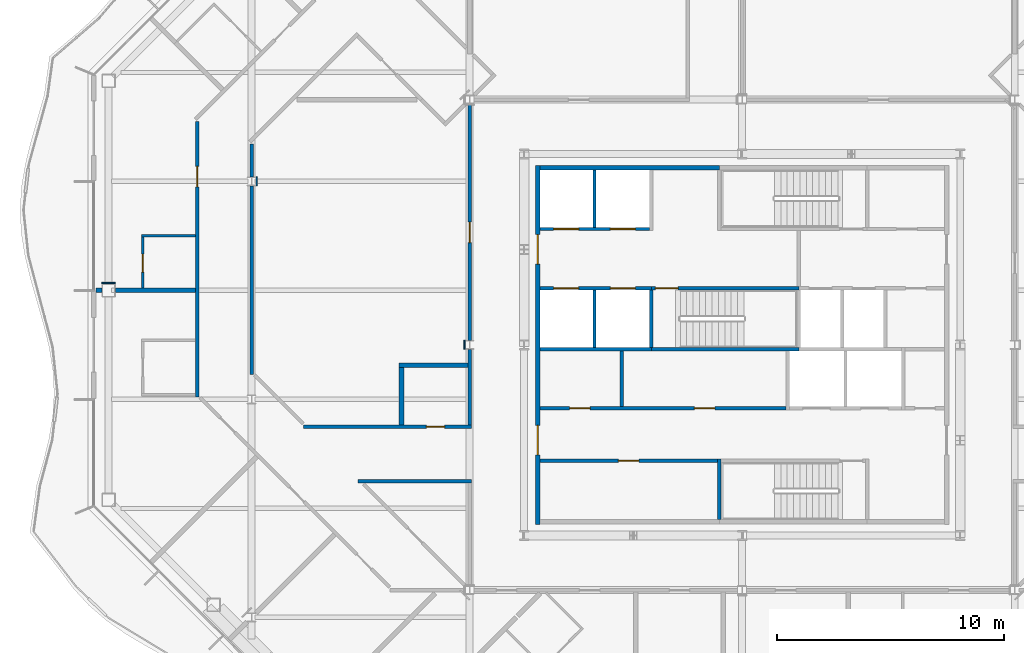
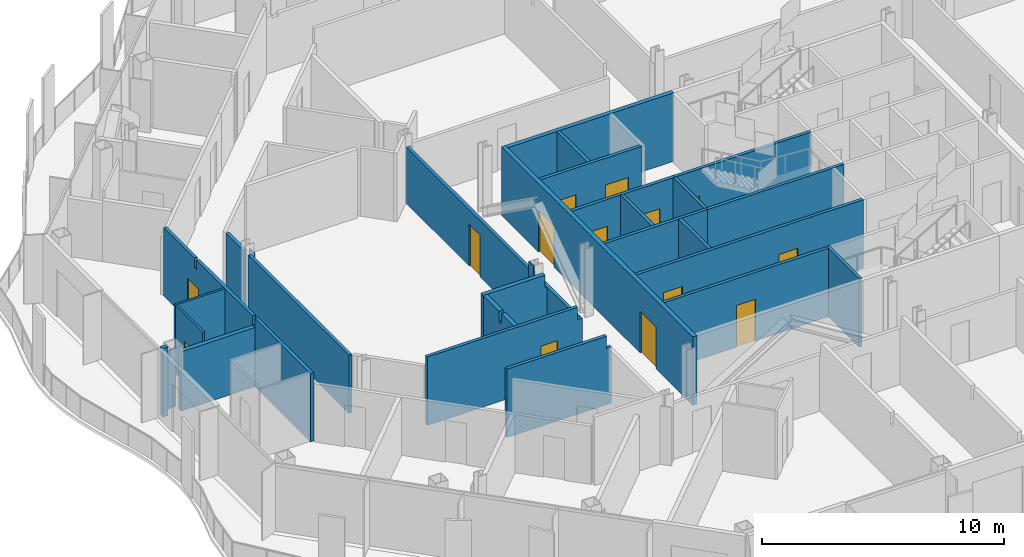
# One storey, part 8 of 21: 30 walls, 14 doors, 14 openings.
"""IFC4 building model written with IfcOpenShell, lengths in metres."""

from ifc_helpers import new_model, si_unit, direction, frame, frame_2d, origin, place, context, subcontext, project, spatial, polyline, rectangle, outline, extrude, material, layer, layer_set, type_object, element, fill, save


model = new_model("IFC4")

# Units and contexts
model_context = context("Model", 3, precision=1e-05, world=origin(), true_north=direction((0.0, 1.0)))
body_context = subcontext(model_context, "Body", "Model", "MODEL_VIEW")
ifc_project = project(units=[si_unit("LENGTHUNIT", "METRE"), si_unit("AREAUNIT", "SQUARE_METRE"), si_unit("VOLUMEUNIT", "CUBIC_METRE"), si_unit("PLANEANGLEUNIT", "RADIAN"), si_unit("MASSUNIT", "GRAM", prefix="KILO")], contexts=[model_context])

# Site, building, storey
site_placement = place(None, origin())
site = spatial("IfcSite", under=ifc_project, at=site_placement, CompositionType="ELEMENT")
building_placement = place(site_placement, origin())
building = spatial("IfcBuilding", under=site, at=building_placement, Name="Cairn Pilgrim Tower", CompositionType="ELEMENT")
storey_placement = place(building_placement, frame((0.0, 0.0, 168.60009765625)))
storey = spatial("IfcBuildingStorey", under=building, at=storey_placement, Name="L42", CompositionType="ELEMENT", Elevation=168.60009765625)

# Wall
ifc_material_1 = material(Name="Concrete C32/40", Category="concrete")
ifc_layer_1 = layer(ifc_material_1, 0.199951171875)
ifc_layer_set_1 = layer_set([ifc_layer_1], Name="CORE OUTER WALL 200 EI 120")
wall_type_1 = type_object("IfcWallType", Name="CORE OUTER WALL 200 EI 120", PredefinedType="SOLIDWALL", material=ifc_layer_set_1)
wall_1_placement = place(storey_placement, frame((-1.699951171875, 10.199951171875, 0.0), z_axis=(0.0, 0.0, 1.0), x_axis=(1.0, 0.0, 0.0)))
element("IfcWall", 1, at=wall_1_placement, inside=storey, type_object=wall_type_1, Name="CW:L42:H12-1", PredefinedType="SOLIDWALL", context=body_context, shape_type="SweptSolid", body=[
    extrude(rectangle(XDim=7.89990234375, YDim=0.199951171875, at=frame_2d((3.949951171875, 0.0))), origin(), (0.0, 0.0, 1.0), 3.449951171875),
])

# Wall, openings, doors
wall_2_placement = place(storey_placement, frame((-1.800048828125, -5.5, 0.0), z_axis=(0.0, 0.0, 1.0), x_axis=(0.0, 1.0, 0.0)))
wall_2 = element("IfcWall", 2, at=wall_2_placement, inside=storey, type_object=wall_type_1, Name="CW:L42:V13", PredefinedType="SOLIDWALL", context=body_context, shape_type="SweptSolid", body=[
    extrude(rectangle(XDim=15.800048828125, YDim=0.199951171875, at=frame_2d((7.89990234375, 0.0))), origin(), (0.0, 0.0, 1.0), 3.449951171875),
])
opening_1_placement = place(wall_2_placement, frame((3.050048828125, 0.0, 0.0)))
opening_1 = element("IfcOpeningElement", 3, at=opening_1_placement, cuts=wall_2, Name="Opening CD-W1", PredefinedType="OPENING", context=body_context, shape_type="SweptSolid", body=[
    extrude(rectangle(XDim=1.300048828125, YDim=2.10009765625, at=frame_2d((0.64990234375, 1.050048828125))), frame((0.0, 0.10986328125, 0.0), z_axis=(0.0, -1.0, 0.0), x_axis=(1.0, 0.0, 0.0)), (0.0, 0.0, 1.0), 0.219970703125),
])
opening_2_placement = place(wall_2_placement, frame((11.449951171875, 0.0, 0.0)))
opening_2 = element("IfcOpeningElement", 4, at=opening_2_placement, cuts=wall_2, Name="Opening CD-W2", PredefinedType="OPENING", context=body_context, shape_type="SweptSolid", body=[
    extrude(rectangle(XDim=1.300048828125, YDim=2.10009765625, at=frame_2d((0.64990234375, 1.050048828125))), frame((0.0, 0.10986328125, 0.0), z_axis=(0.0, -1.0, 0.0), x_axis=(1.0, 0.0, 0.0)), (0.0, 0.0, 1.0), 0.219970703125),
])
ifc_material_2 = material(Name="Painted steel", Category="steel")
door_type_1 = type_object("IfcDoorType", Name="CORE LOBBY DOOR 1300x2100", OperationType="DOUBLE_DOOR_SINGLE_SWING", PredefinedType="DOOR", material=ifc_material_2)
door_1_placement = place(opening_1_placement, origin())
door_1 = element("IfcDoor", 5, at=door_1_placement, inside=storey, type_object=door_type_1, Name="CD-W1", OperationType="DOUBLE_DOOR_SINGLE_SWING", OverallHeight=2.10009765625, OverallWidth=1.300048828125, PredefinedType="DOOR", context=body_context, shape_type="SweptSolid", body=[
    extrude(rectangle(XDim=1.300048828125, YDim=2.10009765625, at=frame_2d((0.64990234375, 1.050048828125))), frame((0.0, 0.02490234375, 0.0), z_axis=(0.0, -1.0, 0.0), x_axis=(1.0, 0.0, 0.0)), (0.0, 0.0, 1.0), 0.050048828125),
])
fill(opening_1, door_1)
door_2_placement = place(opening_2_placement, origin())
door_2 = element("IfcDoor", 6, at=door_2_placement, inside=storey, type_object=door_type_1, Name="CD-W2", OperationType="DOUBLE_DOOR_SINGLE_SWING", OverallHeight=2.10009765625, OverallWidth=1.300048828125, PredefinedType="DOOR", context=body_context, shape_type="SweptSolid", body=[
    extrude(rectangle(XDim=1.300048828125, YDim=2.10009765625, at=frame_2d((0.64990234375, 1.050048828125))), frame((0.0, 0.02490234375, 0.0), z_axis=(0.0, -1.0, 0.0), x_axis=(1.0, 0.0, 0.0)), (0.0, 0.0, 1.0), 0.050048828125),
])
fill(opening_2, door_2)

# Wall, opening, door
ifc_layer_2 = layer(ifc_material_1, 0.14990234375)
ifc_layer_set_2 = layer_set([ifc_layer_2], Name="CORE PARTITION 150 EI 60")
wall_type_2 = type_object("IfcWallType", Name="CORE PARTITION 150 EI 60", PredefinedType="PARTITIONING", material=ifc_layer_set_2)
wall_3_placement = place(storey_placement, frame((-1.699951171875, -2.699951171875, 0.0), z_axis=(0.0, 0.0, 1.0), x_axis=(1.0, 0.0, 0.0)))
wall_3 = element("IfcWall", 7, at=wall_3_placement, inside=storey, type_object=wall_type_2, Name="CW:L42:H02", PredefinedType="PARTITIONING", context=body_context, shape_type="SweptSolid", body=[
    extrude(rectangle(XDim=7.824951171875, YDim=0.14990234375, at=frame_2d((3.91259765625, 0.0))), origin(), (0.0, 0.0, 1.0), 3.449951171875),
])
opening_3_placement = place(wall_3_placement, frame((3.449951171875, 0.0, 0.0)))
opening_3 = element("IfcOpeningElement", 8, at=opening_3_placement, cuts=wall_3, Name="Opening RD-R1W1", PredefinedType="OPENING", context=body_context, shape_type="SweptSolid", body=[
    extrude(rectangle(XDim=0.89990234375, YDim=2.10009765625, at=frame_2d((0.449951171875, 1.050048828125))), frame((0.0, 0.0849609375, 0.0), z_axis=(0.0, -1.0, 0.0), x_axis=(1.0, 0.0, 0.0)), (0.0, 0.0, 1.0), 0.169921875),
])
door_type_2 = type_object("IfcDoorType", Name="SERVICE ROOM DOOR 900x2100", OperationType="SINGLE_SWING_LEFT", PredefinedType="DOOR", material=ifc_material_2)
door_3_placement = place(opening_3_placement, origin())
door_3 = element("IfcDoor", 9, at=door_3_placement, inside=storey, type_object=door_type_2, Name="RD-R1W1", OperationType="SINGLE_SWING_LEFT", OverallHeight=2.10009765625, OverallWidth=0.89990234375, PredefinedType="DOOR", context=body_context, shape_type="SweptSolid", body=[
    extrude(rectangle(XDim=0.89990234375, YDim=2.10009765625, at=frame_2d((0.449951171875, 1.050048828125))), frame((0.0, 0.02490234375, 0.0), z_axis=(0.0, -1.0, 0.0), x_axis=(1.0, 0.0, 0.0)), (0.0, 0.0, 1.0), 0.050048828125),
])
fill(opening_3, door_3)

# Wall, openings, doors
wall_4_placement = place(storey_placement, frame((-1.699951171875, -0.39990234375, 0.0), z_axis=(0.0, 0.0, 1.0), x_axis=(1.0, 0.0, 0.0)))
wall_4 = element("IfcWall", 10, at=wall_4_placement, inside=storey, type_object=wall_type_2, Name="CW:L42:H04", PredefinedType="PARTITIONING", context=body_context, shape_type="SweptSolid", body=[
    extrude(rectangle(XDim=10.824951171875, YDim=0.14990234375, at=frame_2d((5.41259765625, 0.0))), origin(), (0.0, 0.0, 1.0), 3.449951171875),
])
opening_4_placement = place(wall_4_placement, frame((1.300048828125, 0.0, 0.0)))
opening_4 = element("IfcOpeningElement", 11, at=opening_4_placement, cuts=wall_4, Name="Opening RD-R2W1", PredefinedType="OPENING", context=body_context, shape_type="SweptSolid", body=[
    extrude(rectangle(XDim=0.89990234375, YDim=2.10009765625, at=frame_2d((0.449951171875, 1.050048828125))), frame((0.0, 0.0849609375, 0.0), z_axis=(0.0, -1.0, 0.0), x_axis=(1.0, 0.0, 0.0)), (0.0, 0.0, 1.0), 0.169921875),
])
opening_5_placement = place(wall_4_placement, frame((6.800048828125, 0.0, 0.0)))
opening_5 = element("IfcOpeningElement", 12, at=opening_5_placement, cuts=wall_4, Name="Opening RD-R2W2", PredefinedType="OPENING", context=body_context, shape_type="SweptSolid", body=[
    extrude(rectangle(XDim=0.89990234375, YDim=2.10009765625, at=frame_2d((0.449951171875, 1.050048828125))), frame((0.0, 0.0849609375, 0.0), z_axis=(0.0, -1.0, 0.0), x_axis=(1.0, 0.0, 0.0)), (0.0, 0.0, 1.0), 0.169921875),
])
door_4_placement = place(opening_4_placement, origin())
door_4 = element("IfcDoor", 13, at=door_4_placement, inside=storey, type_object=door_type_2, Name="RD-R2W1", OperationType="SINGLE_SWING_RIGHT", OverallHeight=2.10009765625, OverallWidth=0.89990234375, PredefinedType="DOOR", context=body_context, shape_type="SweptSolid", body=[
    extrude(rectangle(XDim=0.89990234375, YDim=2.10009765625, at=frame_2d((0.449951171875, 1.050048828125))), frame((0.0, 0.02490234375, 0.0), z_axis=(0.0, -1.0, 0.0), x_axis=(1.0, 0.0, 0.0)), (0.0, 0.0, 1.0), 0.050048828125),
])
fill(opening_4, door_4)
door_5_placement = place(opening_5_placement, origin())
door_5 = element("IfcDoor", 14, at=door_5_placement, inside=storey, type_object=door_type_2, Name="RD-R2W2", OperationType="SINGLE_SWING_LEFT", OverallHeight=2.10009765625, OverallWidth=0.89990234375, PredefinedType="DOOR", context=body_context, shape_type="SweptSolid", body=[
    extrude(rectangle(XDim=0.89990234375, YDim=2.10009765625, at=frame_2d((0.449951171875, 1.050048828125))), frame((0.0, 0.02490234375, 0.0), z_axis=(0.0, -1.0, 0.0), x_axis=(1.0, 0.0, 0.0)), (0.0, 0.0, 1.0), 0.050048828125),
])
fill(opening_5, door_5)

# Walls
wall_5_placement = place(storey_placement, frame((1.89990234375, -0.324951171875, 0.0), z_axis=(0.0, 0.0, 1.0), x_axis=(0.0, 1.0, 0.0)))
element("IfcWall", 15, at=wall_5_placement, inside=storey, type_object=wall_type_2, Name="CW:L42:V16", PredefinedType="PARTITIONING", context=body_context, shape_type="SweptSolid", body=[
    extrude(rectangle(XDim=2.449951171875, YDim=0.14990234375, at=frame_2d((1.22509765625, 0.0))), origin(), (0.0, 0.0, 1.0), 3.449951171875),
])
ifc_layer_3 = layer(ifc_material_1, 0.14990234375)
ifc_layer_set_3 = layer_set([ifc_layer_3], Name="CORE SHAFT WALL 150 EI 120")
wall_type_3 = type_object("IfcWallType", Name="CORE SHAFT WALL 150 EI 120", PredefinedType="SOLIDWALL", material=ifc_layer_set_3)
wall_6_placement = place(storey_placement, frame((-1.699951171875, 2.199951171875, 0.0), z_axis=(0.0, 0.0, 1.0), x_axis=(1.0, 0.0, 0.0)))
element("IfcWall", 16, at=wall_6_placement, inside=storey, type_object=wall_type_3, Name="CW:L42:H07-1", PredefinedType="SOLIDWALL", context=body_context, shape_type="SweptSolid", body=[
    extrude(rectangle(XDim=4.89990234375, YDim=0.14990234375, at=frame_2d((2.449951171875, 0.0))), origin(), (0.0, 0.0, 1.0), 3.449951171875),
])

# Wall, openings, doors
wall_7_placement = place(storey_placement, frame((-1.699951171875, 4.89990234375, 0.0), z_axis=(0.0, 0.0, 1.0), x_axis=(1.0, 0.0, 0.0)))
wall_7 = element("IfcWall", 17, at=wall_7_placement, inside=storey, type_object=wall_type_3, Name="CW:L42:H09-1", PredefinedType="SOLIDWALL", context=body_context, shape_type="SweptSolid", body=[
    extrude(rectangle(XDim=4.89990234375, YDim=0.14990234375, at=frame_2d((2.449951171875, 0.0))), origin(), (0.0, 0.0, 1.0), 3.449951171875),
])
opening_6_placement = place(wall_7_placement, frame((0.60009765625, 0.0, 0.0)))
opening_6 = element("IfcOpeningElement", 18, at=opening_6_placement, cuts=wall_7, Name="Opening LD-HR1", PredefinedType="OPENING", context=body_context, shape_type="SweptSolid", body=[
    extrude(rectangle(XDim=1.10009765625, YDim=2.10009765625, at=frame_2d((0.550048828125, 1.050048828125))), frame((0.0, 0.0849609375, 0.0), z_axis=(0.0, -1.0, 0.0), x_axis=(1.0, 0.0, 0.0)), (0.0, 0.0, 1.0), 0.169921875),
])
opening_7_placement = place(wall_7_placement, frame((3.10009765625, 0.0, 0.0)))
opening_7 = element("IfcOpeningElement", 19, at=opening_7_placement, cuts=wall_7, Name="Opening LD-HR2", PredefinedType="OPENING", context=body_context, shape_type="SweptSolid", body=[
    extrude(rectangle(XDim=1.10009765625, YDim=2.10009765625, at=frame_2d((0.550048828125, 1.050048828125))), frame((0.0, 0.0849609375, 0.0), z_axis=(0.0, -1.0, 0.0), x_axis=(1.0, 0.0, 0.0)), (0.0, 0.0, 1.0), 0.169921875),
])
ifc_material_3 = material(Name="Stainless steel", Category="steel")
door_type_3 = type_object("IfcDoorType", Name="LIFT LANDING DOOR 1100x2100", OperationType="DOUBLE_DOOR_SLIDING", PredefinedType="DOOR", material=ifc_material_3)
door_6_placement = place(opening_6_placement, origin())
door_6 = element("IfcDoor", 20, at=door_6_placement, inside=storey, type_object=door_type_3, Name="LANDING DOOR HR1", OperationType="DOUBLE_DOOR_SLIDING", OverallHeight=2.10009765625, OverallWidth=1.10009765625, PredefinedType="DOOR", context=body_context, shape_type="SweptSolid", body=[
    extrude(rectangle(XDim=1.10009765625, YDim=2.10009765625, at=frame_2d((0.550048828125, 1.050048828125))), frame((0.0, 0.02490234375, 0.0), z_axis=(0.0, -1.0, 0.0), x_axis=(1.0, 0.0, 0.0)), (0.0, 0.0, 1.0), 0.050048828125),
])
fill(opening_6, door_6)
door_7_placement = place(opening_7_placement, origin())
door_7 = element("IfcDoor", 21, at=door_7_placement, inside=storey, type_object=door_type_3, Name="LANDING DOOR HR2", OperationType="DOUBLE_DOOR_SLIDING", OverallHeight=2.10009765625, OverallWidth=1.10009765625, PredefinedType="DOOR", context=body_context, shape_type="SweptSolid", body=[
    extrude(rectangle(XDim=1.10009765625, YDim=2.10009765625, at=frame_2d((0.550048828125, 1.050048828125))), frame((0.0, 0.02490234375, 0.0), z_axis=(0.0, -1.0, 0.0), x_axis=(1.0, 0.0, 0.0)), (0.0, 0.0, 1.0), 0.050048828125),
])
fill(opening_7, door_7)

wall_8_placement = place(storey_placement, frame((-1.699951171875, 7.5, 0.0), z_axis=(0.0, 0.0, 1.0), x_axis=(1.0, 0.0, 0.0)))
wall_8 = element("IfcWall", 22, at=wall_8_placement, inside=storey, type_object=wall_type_3, Name="CW:L42:H10", PredefinedType="SOLIDWALL", context=body_context, shape_type="SweptSolid", body=[
    extrude(rectangle(XDim=4.824951171875, YDim=0.14990234375, at=frame_2d((2.41259765625, 0.0))), origin(), (0.0, 0.0, 1.0), 3.449951171875),
])
opening_8_placement = place(wall_8_placement, frame((0.60009765625, 0.0, 0.0)))
opening_8 = element("IfcOpeningElement", 23, at=opening_8_placement, cuts=wall_8, Name="Opening LD-HR3", PredefinedType="OPENING", context=body_context, shape_type="SweptSolid", body=[
    extrude(rectangle(XDim=1.10009765625, YDim=2.10009765625, at=frame_2d((0.550048828125, 1.050048828125))), frame((0.0, 0.0849609375, 0.0), z_axis=(0.0, -1.0, 0.0), x_axis=(1.0, 0.0, 0.0)), (0.0, 0.0, 1.0), 0.169921875),
])
opening_9_placement = place(wall_8_placement, frame((3.10009765625, 0.0, 0.0)))
opening_9 = element("IfcOpeningElement", 24, at=opening_9_placement, cuts=wall_8, Name="Opening LD-HR4", PredefinedType="OPENING", context=body_context, shape_type="SweptSolid", body=[
    extrude(rectangle(XDim=1.10009765625, YDim=2.10009765625, at=frame_2d((0.550048828125, 1.050048828125))), frame((0.0, 0.0849609375, 0.0), z_axis=(0.0, -1.0, 0.0), x_axis=(1.0, 0.0, 0.0)), (0.0, 0.0, 1.0), 0.169921875),
])
door_8_placement = place(opening_8_placement, origin())
door_8 = element("IfcDoor", 25, at=door_8_placement, inside=storey, type_object=door_type_3, Name="LANDING DOOR HR3", OperationType="DOUBLE_DOOR_SLIDING", OverallHeight=2.10009765625, OverallWidth=1.10009765625, PredefinedType="DOOR", context=body_context, shape_type="SweptSolid", body=[
    extrude(rectangle(XDim=1.10009765625, YDim=2.10009765625, at=frame_2d((0.550048828125, 1.050048828125))), frame((0.0, 0.02490234375, 0.0), z_axis=(0.0, -1.0, 0.0), x_axis=(1.0, 0.0, 0.0)), (0.0, 0.0, 1.0), 0.050048828125),
])
fill(opening_8, door_8)
door_9_placement = place(opening_9_placement, origin())
door_9 = element("IfcDoor", 26, at=door_9_placement, inside=storey, type_object=door_type_3, Name="LANDING DOOR HR4", OperationType="DOUBLE_DOOR_SLIDING", OverallHeight=2.10009765625, OverallWidth=1.10009765625, PredefinedType="DOOR", context=body_context, shape_type="SweptSolid", body=[
    extrude(rectangle(XDim=1.10009765625, YDim=2.10009765625, at=frame_2d((0.550048828125, 1.050048828125))), frame((0.0, 0.02490234375, 0.0), z_axis=(0.0, -1.0, 0.0), x_axis=(1.0, 0.0, 0.0)), (0.0, 0.0, 1.0), 0.050048828125),
])
fill(opening_9, door_9)

# Walls
wall_9_placement = place(storey_placement, frame((0.699951171875, 2.27490234375, 0.0), z_axis=(0.0, 0.0, 1.0), x_axis=(0.0, 1.0, 0.0)))
element("IfcWall", 27, at=wall_9_placement, inside=storey, type_object=wall_type_3, Name="CW:L42:V14", PredefinedType="SOLIDWALL", context=body_context, shape_type="SweptSolid", body=[
    extrude(rectangle(XDim=2.550048828125, YDim=0.14990234375, at=frame_2d((1.27490234375, 0.0))), origin(), (0.0, 0.0, 1.0), 3.449951171875),
])
wall_10_placement = place(storey_placement, frame((0.699951171875, 7.574951171875, 0.0), z_axis=(0.0, 0.0, 1.0), x_axis=(0.0, 1.0, 0.0)))
element("IfcWall", 28, at=wall_10_placement, inside=storey, type_object=wall_type_3, Name="CW:L42:V15", PredefinedType="SOLIDWALL", context=body_context, shape_type="SweptSolid", body=[
    extrude(rectangle(XDim=2.525146484375, YDim=0.14990234375, at=frame_2d((1.2626953125, 0.0))), origin(), (0.0, 0.0, 1.0), 3.449951171875),
])

# Wall, opening, door
ifc_material_4 = material(Name="Gypsum partition")
ifc_layer_4 = layer(ifc_material_4, 0.10009765625)
ifc_layer_set_4 = layer_set([ifc_layer_4], Name="PARTITION 100 DRYWALL")
wall_type_4 = type_object("IfcWallType", Name="PARTITION 100 DRYWALL", PredefinedType="PARTITIONING", material=ifc_layer_set_4)
wall_11_placement = place(storey_placement, frame((-19.199951171875, 4.89990234375, 0.0), z_axis=(0.0, 0.0, 1.0), x_axis=(0.0, 1.0, 0.0)))
wall_11 = element("IfcWall", 29, at=wall_11_placement, inside=storey, type_object=wall_type_4, Name="PARTITION W063", PredefinedType="PARTITIONING", context=body_context, shape_type="SweptSolid", body=[
    extrude(rectangle(XDim=2.25, YDim=0.10009765625, at=frame_2d((1.125, 0.0))), origin(), (0.0, 0.0, 1.0), 3.449951171875),
])
opening_10_placement = place(wall_11_placement, frame((0.699951171875, 0.0, 0.0)))
opening_10 = element("IfcOpeningElement", 30, at=opening_10_placement, cuts=wall_11, Name="Opening 4218A", PredefinedType="OPENING", context=body_context, shape_type="SweptSolid", body=[
    extrude(rectangle(XDim=0.800048828125, YDim=2.10009765625, at=frame_2d((0.39990234375, 1.050048828125))), frame((0.0, 0.06005859375, 0.0), z_axis=(0.0, -1.0, 0.0), x_axis=(1.0, 0.0, 0.0)), (0.0, 0.0, 1.0), 0.1201171875),
])
ifc_material_5 = material(Name="Timber door leaf", Category="wood")
door_type_4 = type_object("IfcDoorType", Name="WC DOOR 800x2100", OperationType="NOTDEFINED", PredefinedType="DOOR", material=ifc_material_5)
door_10_placement = place(opening_10_placement, origin())
door_10 = element("IfcDoor", 31, at=door_10_placement, inside=storey, type_object=door_type_4, Name="DOOR 4218A", OperationType="SINGLE_SWING_LEFT", OverallHeight=2.10009765625, OverallWidth=0.800048828125, PredefinedType="DOOR", context=body_context, shape_type="SweptSolid", body=[
    extrude(rectangle(XDim=0.800048828125, YDim=2.10009765625, at=frame_2d((0.39990234375, 1.050048828125))), frame((0.0, 0.02490234375, 0.0), z_axis=(0.0, -1.0, 0.0), x_axis=(1.0, 0.0, 0.0)), (0.0, 0.0, 1.0), 0.050048828125),
])
fill(opening_10, door_10)

# Walls
wall_12_placement = place(storey_placement, frame((-19.25, 7.199951171875, 0.0), z_axis=(0.0, 0.0, 1.0), x_axis=(1.0, 0.0, 0.0)))
element("IfcWall", 32, at=wall_12_placement, inside=storey, type_object=wall_type_4, Name="PARTITION W065", PredefinedType="PARTITIONING", context=body_context, shape_type="SweptSolid", body=[
    extrude(rectangle(XDim=2.375, YDim=0.10009765625, at=frame_2d((1.1875, 0.0))), origin(), (0.0, 0.0, 1.0), 3.449951171875),
])
ifc_layer_5 = layer(ifc_material_4, 0.14990234375)
ifc_layer_set_5 = layer_set([ifc_layer_5], Name="PARTITION 150 DRYWALL EI 60")
wall_type_5 = type_object("IfcWallType", Name="PARTITION 150 DRYWALL EI 60", PredefinedType="PARTITIONING", material=ifc_layer_set_5)
wall_13_placement = place(storey_placement, frame((-9.7060546875, -3.60009765625, 0.0), z_axis=(0.0, 0.0, 1.0), x_axis=(1.0, 0.0, 0.0)))
element("IfcWall", 33, at=wall_13_placement, inside=storey, type_object=wall_type_5, Name="PARTITION W034", PredefinedType="PARTITIONING", context=body_context, shape_type="SweptSolid", body=[
    extrude(outline(polyline([(0.0, 0.0), (4.98095703125, 0.0), (4.981201171875, 2.829833984375), (4.756103515625, 2.829833984375), (4.754150390625, 3.449951171875), (0.0, 3.449951171875), (0.0, 0.0)])), frame((0.0, 0.074951171875, 0.0), z_axis=(0.0, -1.0, 0.0), x_axis=(1.0, 0.0, 0.0)), (0.0, 0.0, 1.0), 0.14990234375),
])

# Wall, opening, door
wall_14_placement = place(storey_placement, frame((-12.106201171875, -1.199951171875, 0.0), z_axis=(0.0, 0.0, 1.0), x_axis=(1.0, 0.0, 0.0)))
wall_14 = element("IfcWall", 34, at=wall_14_placement, inside=storey, type_object=wall_type_5, Name="PARTITION W036", PredefinedType="PARTITIONING", context=body_context, shape_type="SweptSolid", body=[
    extrude(outline(polyline([(0.0, 0.0), (7.381103515625, 0.0), (7.381103515625, 2.829833984375), (7.156005859375, 2.829833984375), (7.154052734375, 3.449951171875), (0.0, 3.449951171875), (0.0, 0.0)])), frame((0.0, 0.074951171875, 0.0), z_axis=(0.0, -1.0, 0.0), x_axis=(1.0, 0.0, 0.0)), (0.0, 0.0, 1.0), 0.14990234375),
])
opening_11_placement = place(wall_14_placement, frame((5.406005859375, 0.0, 0.0)))
opening_11 = element("IfcOpeningElement", 35, at=opening_11_placement, cuts=wall_14, Name="Opening 4226", PredefinedType="OPENING", context=body_context, shape_type="SweptSolid", body=[
    extrude(rectangle(XDim=0.800048828125, YDim=2.10009765625, at=frame_2d((0.39990234375, 1.050048828125))), frame((0.0, 0.0849609375, 0.0), z_axis=(0.0, -1.0, 0.0), x_axis=(1.0, 0.0, 0.0)), (0.0, 0.0, 1.0), 0.169921875),
])
door_type_5 = type_object("IfcDoorType", Name="WC DOOR 800x2100 FD30S", OperationType="NOTDEFINED", PredefinedType="DOOR", material=ifc_material_5)
door_11_placement = place(opening_11_placement, origin())
door_11 = element("IfcDoor", 36, at=door_11_placement, inside=storey, type_object=door_type_5, Name="DOOR 4226", OperationType="SINGLE_SWING_RIGHT", OverallHeight=2.10009765625, OverallWidth=0.800048828125, PredefinedType="DOOR", context=body_context, shape_type="SweptSolid", body=[
    extrude(rectangle(XDim=0.800048828125, YDim=2.10009765625, at=frame_2d((0.39990234375, 1.050048828125))), frame((0.0, 0.02490234375, 0.0), z_axis=(0.0, -1.0, 0.0), x_axis=(1.0, 0.0, 0.0)), (0.0, 0.0, 1.0), 0.050048828125),
])
fill(opening_11, door_11)

# Wall
wall_15_placement = place(storey_placement, frame((-4.800048828125, -1.125, 0.0), z_axis=(0.0, 0.0, 1.0), x_axis=(0.0, 1.0, 0.0)))
element("IfcWall", 37, at=wall_15_placement, inside=storey, type_object=wall_type_5, Name="PARTITION W040", PredefinedType="PARTITIONING", context=body_context, shape_type="SweptSolid", body=[
    extrude(rectangle(XDim=3.32861328125, YDim=0.14990234375, at=frame_2d((1.664306640625, 0.0))), origin(), (0.0, 0.0, 1.0), 2.829833984375),
])

# Wall, opening, door
wall_16_placement = place(storey_placement, frame((-16.800048828125, 0.099853515625, 0.0), z_axis=(0.0, 0.0, 1.0), x_axis=(0.0, 1.0, 0.0)))
wall_16 = element("IfcWall", 38, at=wall_16_placement, inside=storey, type_object=wall_type_5, Name="PARTITION W044", PredefinedType="PARTITIONING", context=body_context, shape_type="SweptSolid", body=[
    extrude(outline(polyline([(0.0, 0.0), (12.131103515625, 0.0), (12.131103515625, 3.449951171875), (9.59521484375, 3.449951171875), (9.593017578125, 2.97998046875), (9.405029296875, 2.97998046875), (9.403076171875, 3.449951171875), (4.795166015625, 3.449951171875), (4.793212890625, 2.97998046875), (4.60498046875, 2.97998046875), (4.60302734375, 3.449951171875), (0.0, 3.449951171875), (0.0, 0.0)])), frame((0.0, 0.074951171875, 0.0), z_axis=(0.0, -1.0, 0.0), x_axis=(1.0, 0.0, 0.0)), (0.0, 0.0, 1.0), 0.14990234375),
])
opening_12_placement = place(wall_16_placement, frame((9.256103515625, 0.0, 0.0)))
opening_12 = element("IfcOpeningElement", 39, at=opening_12_placement, cuts=wall_16, Name="Opening 4218", PredefinedType="OPENING", context=body_context, shape_type="SweptSolid", body=[
    extrude(rectangle(XDim=0.89990234375, YDim=2.10009765625, at=frame_2d((0.449951171875, 1.050048828125))), frame((0.0, 0.0849609375, 0.0), z_axis=(0.0, -1.0, 0.0), x_axis=(1.0, 0.0, 0.0)), (0.0, 0.0, 1.0), 0.169921875),
])
door_type_6 = type_object("IfcDoorType", Name="ROOM DOOR 900x2100 FD30S", OperationType="NOTDEFINED", PredefinedType="DOOR", material=ifc_material_5)
door_12_placement = place(opening_12_placement, origin())
door_12 = element("IfcDoor", 40, at=door_12_placement, inside=storey, type_object=door_type_6, Name="DOOR 4218", OperationType="SINGLE_SWING_LEFT", OverallHeight=2.10009765625, OverallWidth=0.89990234375, PredefinedType="DOOR", context=body_context, shape_type="SweptSolid", body=[
    extrude(rectangle(XDim=0.89990234375, YDim=2.10009765625, at=frame_2d((0.449951171875, 1.050048828125))), frame((0.0, 0.02490234375, 0.0), z_axis=(0.0, -1.0, 0.0), x_axis=(1.0, 0.0, 0.0)), (0.0, 0.0, 1.0), 0.050048828125),
])
fill(opening_12, door_12)

# Wall
wall_17_placement = place(storey_placement, frame((-14.39990234375, 1.093994140625, 0.0), z_axis=(0.0, 0.0, 1.0), x_axis=(0.0, 1.0, 0.0)))
element("IfcWall", 41, at=wall_17_placement, inside=storey, type_object=wall_type_5, Name="PARTITION W048", PredefinedType="PARTITIONING", context=body_context, shape_type="SweptSolid", body=[
    extrude(rectangle(XDim=8.3095703125, YDim=0.14990234375, at=frame_2d((4.15478515625, 0.0))), origin(), (0.0, 0.0, 1.0), 2.929931640625),
])

# Wall, opening, door
wall_18_placement = place(storey_placement, frame((-4.800048828125, 2.596435546875, 0.0), z_axis=(0.0, 0.0, 1.0), x_axis=(0.0, 1.0, 0.0)))
wall_18 = element("IfcWall", 42, at=wall_18_placement, inside=storey, type_object=wall_type_5, Name="PARTITION W054", PredefinedType="PARTITIONING", context=body_context, shape_type="SweptSolid", body=[
    extrude(rectangle(XDim=10.406982421875, YDim=0.14990234375, at=frame_2d((5.20361328125, 0.0))), origin(), (0.0, 0.0, 1.0), 2.829833984375),
])
opening_13_placement = place(wall_18_placement, frame((4.303466796875, 0.0, 0.0)))
opening_13 = element("IfcOpeningElement", 43, at=opening_13_placement, cuts=wall_18, Name="Opening 4235", PredefinedType="OPENING", context=body_context, shape_type="SweptSolid", body=[
    extrude(rectangle(XDim=0.89990234375, YDim=2.10009765625, at=frame_2d((0.449951171875, 1.050048828125))), frame((0.0, 0.0849609375, 0.0), z_axis=(0.0, -1.0, 0.0), x_axis=(1.0, 0.0, 0.0)), (0.0, 0.0, 1.0), 0.169921875),
])
door_type_7 = type_object("IfcDoorType", Name="SERVICE DOOR 900x2100 FD30S", OperationType="NOTDEFINED", PredefinedType="DOOR", material=ifc_material_5)
door_13_placement = place(opening_13_placement, origin())
door_13 = element("IfcDoor", 44, at=door_13_placement, inside=storey, type_object=door_type_7, Name="DOOR 4235", OperationType="SINGLE_SWING_LEFT", OverallHeight=2.10009765625, OverallWidth=0.89990234375, PredefinedType="DOOR", context=body_context, shape_type="SweptSolid", body=[
    extrude(rectangle(XDim=0.89990234375, YDim=2.10009765625, at=frame_2d((0.449951171875, 1.050048828125))), frame((0.0, 0.02490234375, 0.0), z_axis=(0.0, -1.0, 0.0), x_axis=(1.0, 0.0, 0.0)), (0.0, 0.0, 1.0), 0.050048828125),
])
fill(opening_13, door_13)

# Walls
wall_19_placement = place(storey_placement, frame((-14.39990234375, 9.79638671875, 0.0), z_axis=(0.0, 0.0, 1.0), x_axis=(0.0, 1.0, 0.0)))
element("IfcWall", 45, at=wall_19_placement, inside=storey, type_object=wall_type_5, Name="PARTITION W067", PredefinedType="PARTITIONING", context=body_context, shape_type="SweptSolid", body=[
    extrude(rectangle(XDim=1.4404296875, YDim=0.14990234375, at=frame_2d((0.72021484375, 0.0))), origin(), (0.0, 0.0, 1.0), 2.929931640625),
])
ifc_layer_6 = layer(ifc_material_4, 0.050048828125)
ifc_layer_set_6 = layer_set([ifc_layer_6], Name="PARTITION 50 DRYWALL EI 60")
wall_type_6 = type_object("IfcWallType", Name="PARTITION 50 DRYWALL EI 60", PredefinedType="PARTITIONING", material=ifc_layer_set_6)
wall_20_placement = place(storey_placement, frame((-5.0244140625, 2.20361328125, 0.0), z_axis=(0.0, 0.0, 1.0), x_axis=(0.0, 1.0, 0.0)))
element("IfcWall", 46, at=wall_20_placement, inside=storey, type_object=wall_type_6, Name="COLUMN CASING WC18", PredefinedType="PARTITIONING", context=body_context, shape_type="SweptSolid", body=[
    extrude(rectangle(XDim=0.392822265625, YDim=0.050048828125, at=frame_2d((0.1962890625, 0.0))), origin(), (0.0, 0.0, 1.0), 3.449951171875),
])
wall_21_placement = place(storey_placement, frame((-14.175537109375, 9.403564453125, 0.0), z_axis=(0.0, 0.0, 1.0), x_axis=(0.0, 1.0, 0.0)))
element("IfcWall", 47, at=wall_21_placement, inside=storey, type_object=wall_type_6, Name="COLUMN CASING WC24", PredefinedType="PARTITIONING", context=body_context, shape_type="SweptSolid", body=[
    extrude(rectangle(XDim=0.392822265625, YDim=0.050048828125, at=frame_2d((0.1962890625, 0.0))), origin(), (0.0, 0.0, 1.0), 2.929931640625),
])
wall_22_placement = place(storey_placement, frame((-21.0, 5.125, 0.0), z_axis=(0.0, 0.0, 1.0), x_axis=(1.0, 0.0, 0.0)))
element("IfcWall", 48, at=wall_22_placement, inside=storey, type_object=wall_type_6, Name="COLUMN CASING WC25", PredefinedType="PARTITIONING", context=body_context, shape_type="SweptSolid", body=[
    extrude(rectangle(XDim=0.60009765625, YDim=0.050048828125, at=frame_2d((0.300048828125, 0.0))), origin(), (0.0, 0.0, 1.0), 2.929931640625),
])
ifc_layer_7 = layer(ifc_material_4, 0.199951171875)
ifc_layer_set_7 = layer_set([ifc_layer_7], Name="SHAFT WALL 200 GYPSUM EI 60")
wall_type_7 = type_object("IfcWallType", Name="SHAFT WALL 200 GYPSUM EI 60", PredefinedType="PARTITIONING", material=ifc_layer_set_7)
wall_23_placement = place(storey_placement, frame((-7.800048828125, -1.125, 0.0), z_axis=(0.0, 0.0, 1.0), x_axis=(0.0, 1.0, 0.0)))
element("IfcWall", 49, at=wall_23_placement, inside=storey, type_object=wall_type_7, Name="PARTITION W039", PredefinedType="PARTITIONING", context=body_context, shape_type="SweptSolid", body=[
    extrude(outline(polyline([(0.0, 0.0), (2.52490234375, 0.0), (2.52490234375, 3.449951171875), (1.22509765625, 3.449951171875), (1.222900390625, 2.929931640625), (1.02490234375, 2.929931640625), (1.02294921875, 3.449951171875), (0.0, 3.449951171875), (0.0, 0.0)])), frame((0.0, 0.10009765625, 0.0), z_axis=(0.0, -1.0, 0.0), x_axis=(1.0, 0.0, 0.0)), (0.0, 0.0, 1.0), 0.199951171875),
])
wall_24_placement = place(storey_placement, frame((-7.89990234375, 1.5, 0.0), z_axis=(0.0, 0.0, 1.0), x_axis=(1.0, 0.0, 0.0)))
element("IfcWall", 50, at=wall_24_placement, inside=storey, type_object=wall_type_7, Name="PARTITION W052", PredefinedType="PARTITIONING", context=body_context, shape_type="SweptSolid", body=[
    extrude(outline(polyline([(0.0, 0.0), (3.02490234375, 0.0), (3.02490234375, 2.829833984375), (2.949951171875, 2.829833984375), (2.947998046875, 3.449951171875), (0.0, 3.449951171875), (0.0, 0.0)])), frame((0.0, 0.10009765625, 0.0), z_axis=(0.0, -1.0, 0.0), x_axis=(1.0, 0.0, 0.0)), (0.0, 0.0, 1.0), 0.199951171875),
])
wall_25_placement = place(storey_placement, frame((-21.25, 4.800048828125, 0.0), z_axis=(0.0, 0.0, 1.0), x_axis=(1.0, 0.0, 0.0)))
element("IfcWall", 51, at=wall_25_placement, inside=storey, type_object=wall_type_7, Name="PARTITION W058", PredefinedType="PARTITIONING", context=body_context, shape_type="SweptSolid", body=[
    extrude(rectangle(XDim=0.25, YDim=0.199951171875, at=frame_2d((0.125, 0.0))), origin(), (0.0, 0.0, 1.0), 3.449951171875),
])
wall_26_placement = place(storey_placement, frame((-20.39990234375, 4.800048828125, 0.0), z_axis=(0.0, 0.0, 1.0), x_axis=(1.0, 0.0, 0.0)))
element("IfcWall", 52, at=wall_26_placement, inside=storey, type_object=wall_type_7, Name="PARTITION W059", PredefinedType="PARTITIONING", context=body_context, shape_type="SweptSolid", body=[
    extrude(rectangle(XDim=3.52490234375, YDim=0.199951171875, at=frame_2d((1.762451171875, 0.0))), origin(), (0.0, 0.0, 1.0), 2.97998046875),
])
ifc_material_6 = material(Name="Concrete C35/45", Category="concrete")
ifc_layer_8 = layer(ifc_material_6, 0.14990234375)
ifc_layer_set_8 = layer_set([ifc_layer_8], Name="STAIR SHAFT WALL 150 EI 120")
wall_type_8 = type_object("IfcWallType", Name="STAIR SHAFT WALL 150 EI 120", PredefinedType="SOLIDWALL", material=ifc_layer_set_8)
wall_27_placement = place(storey_placement, frame((3.199951171875, 2.199951171875, 0.0), z_axis=(0.0, 0.0, 1.0), x_axis=(1.0, 0.0, 0.0)))
element("IfcWall", 53, at=wall_27_placement, inside=storey, type_object=wall_type_8, Name="CW:L42:H07-2", PredefinedType="SOLIDWALL", context=body_context, shape_type="SweptSolid", body=[
    extrude(rectangle(XDim=6.5, YDim=0.14990234375, at=frame_2d((3.25, 0.0))), origin(), (0.0, 0.0, 1.0), 3.449951171875),
])

# Wall, opening, door
wall_28_placement = place(storey_placement, frame((3.199951171875, 4.89990234375, 0.0), z_axis=(0.0, 0.0, 1.0), x_axis=(1.0, 0.0, 0.0)))
wall_28 = element("IfcWall", 54, at=wall_28_placement, inside=storey, type_object=wall_type_8, Name="CW:L42:H09-2", PredefinedType="SOLIDWALL", context=body_context, shape_type="SweptSolid", body=[
    extrude(rectangle(XDim=6.5, YDim=0.14990234375, at=frame_2d((3.25, 0.0))), origin(), (0.0, 0.0, 1.0), 3.449951171875),
])
opening_14_placement = place(wall_28_placement, frame((0.175048828125, 0.0, 0.0)))
opening_14 = element("IfcOpeningElement", 55, at=opening_14_placement, cuts=wall_28, Name="Opening SD-B", PredefinedType="OPENING", context=body_context, shape_type="SweptSolid", body=[
    extrude(rectangle(XDim=1.0, YDim=2.10009765625, at=frame_2d((0.5, 1.050048828125))), frame((0.0, 0.0849609375, 0.0), z_axis=(0.0, -1.0, 0.0), x_axis=(1.0, 0.0, 0.0)), (0.0, 0.0, 1.0), 0.169921875),
])
door_type_8 = type_object("IfcDoorType", Name="STAIR DOOR FD60S 1000x2100", OperationType="SINGLE_SWING_LEFT", PredefinedType="DOOR", material=ifc_material_2)
door_14_placement = place(opening_14_placement, origin())
door_14 = element("IfcDoor", 56, at=door_14_placement, inside=storey, type_object=door_type_8, Name="SD-B", OperationType="SINGLE_SWING_RIGHT", OverallHeight=2.10009765625, OverallWidth=1.0, PredefinedType="DOOR", context=body_context, shape_type="SweptSolid", body=[
    extrude(rectangle(XDim=1.0, YDim=2.10009765625, at=frame_2d((0.5, 1.050048828125))), frame((0.0, 0.02490234375, 0.0), z_axis=(0.0, -1.0, 0.0), x_axis=(1.0, 0.0, 0.0)), (0.0, 0.0, 1.0), 0.050048828125),
])
fill(opening_14, door_14)

# Walls
wall_29_placement = place(storey_placement, frame((3.199951171875, 2.27490234375, 0.0), z_axis=(0.0, 0.0, 1.0), x_axis=(0.0, 1.0, 0.0)))
element("IfcWall", 57, at=wall_29_placement, inside=storey, type_object=wall_type_8, Name="CW:L42:V17", PredefinedType="SOLIDWALL", context=body_context, shape_type="SweptSolid", body=[
    extrude(rectangle(XDim=2.550048828125, YDim=0.14990234375, at=frame_2d((1.27490234375, 0.0))), origin(), (0.0, 0.0, 1.0), 3.449951171875),
])
wall_30_placement = place(storey_placement, frame((6.199951171875, -5.300048828125, 0.0), z_axis=(0.0, 0.0, 1.0), x_axis=(0.0, 1.0, 0.0)))
element("IfcWall", 58, at=wall_30_placement, inside=storey, type_object=wall_type_8, Name="CW:L42:V19", PredefinedType="SOLIDWALL", context=body_context, shape_type="SweptSolid", body=[
    extrude(rectangle(XDim=2.675048828125, YDim=0.14990234375, at=frame_2d((1.33740234375, 0.0))), origin(), (0.0, 0.0, 1.0), 3.449951171875),
])

save(model, "model.ifc")
